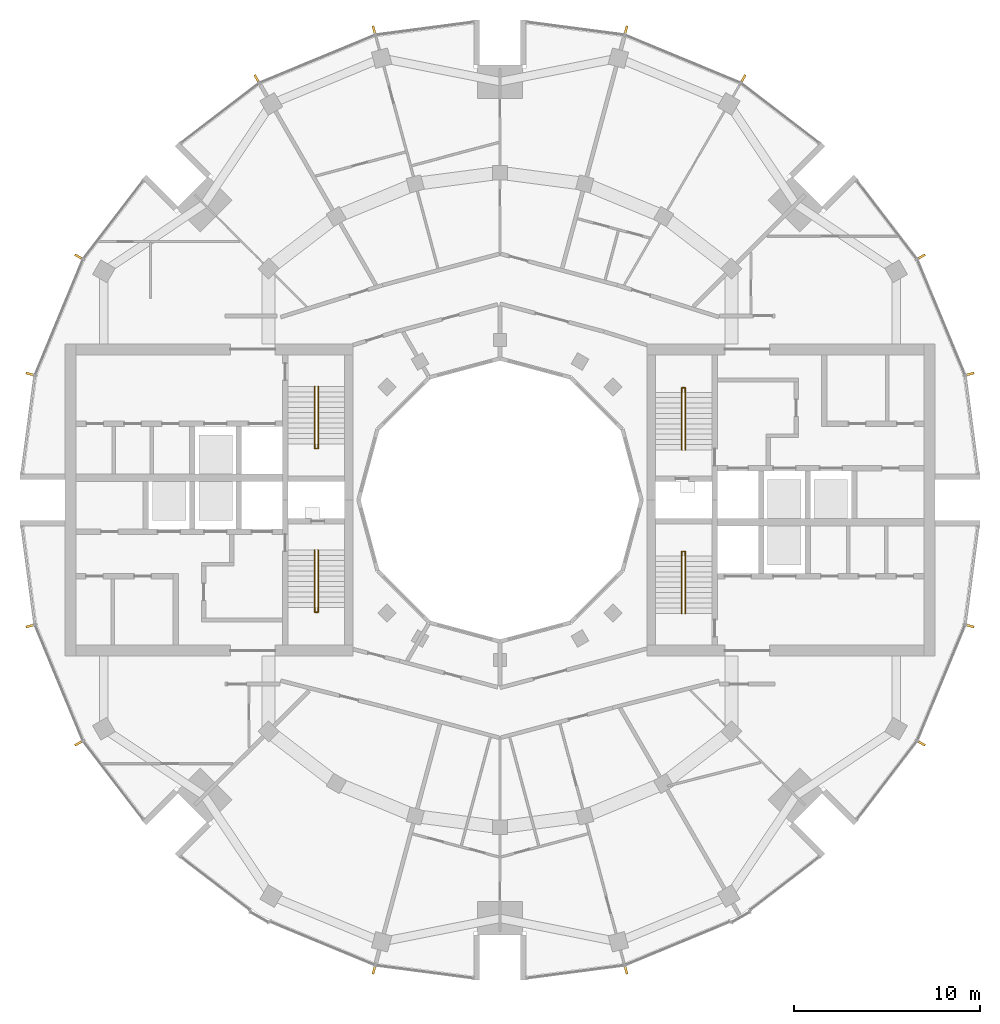
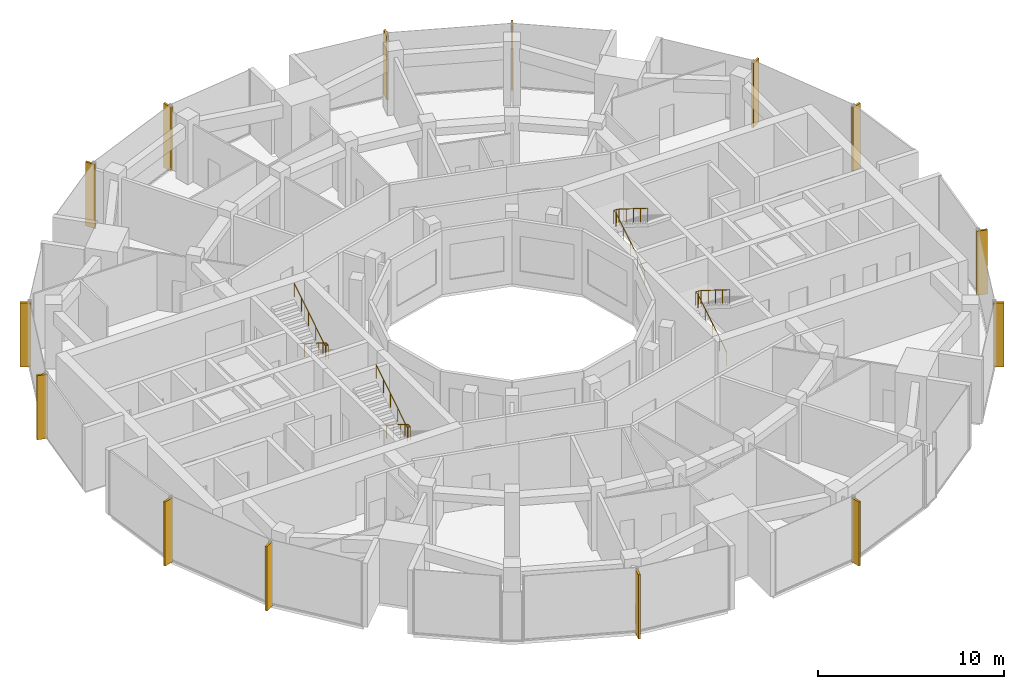
# One storey, part 14 of 15: 14 shading devices, 4 railings.
"""IFC4 building model written with IfcOpenShell, lengths in metres."""

from ifc_helpers import new_model, si_unit, direction, frame, origin, origin_2d, place, context, subcontext, project, spatial, rectangle, circle, extrude, material, material_profile, profile_set, type_object, element, save


model = new_model("IFC4")

# Units and contexts
model_context = context("Model", 3, precision=1e-05, world=origin(), true_north=direction((0.0, 1.0)))
body_context = subcontext(model_context, "Body", "Model", "MODEL_VIEW")
ifc_project = project(units=[si_unit("LENGTHUNIT", "METRE"), si_unit("AREAUNIT", "SQUARE_METRE"), si_unit("VOLUMEUNIT", "CUBIC_METRE"), si_unit("PLANEANGLEUNIT", "RADIAN"), si_unit("MASSUNIT", "GRAM", prefix="KILO")], contexts=[model_context])

# Site, building, storey
site_placement = place(None, origin())
site = spatial("IfcSite", under=ifc_project, at=site_placement, CompositionType="ELEMENT")
building_placement = place(site_placement, origin())
building = spatial("IfcBuilding", under=site, at=building_placement, Name="Torre Brocal", CompositionType="ELEMENT")
storey_placement = place(building_placement, frame((0.0, 0.0, 266.699951171875)))
storey = spatial("IfcBuildingStorey", under=building, at=storey_placement, Name="L61", CompositionType="ELEMENT", Elevation=266.699951171875)

# Shading devices
ifc_material_1 = material(Name="Aluminium, black anodised", Category="aluminium")
ifc_material_profile = material_profile(ifc_material_1, rectangle(XDim=0.1201171875, YDim=0.60009765625, at=origin_2d()), Name="FIN 120X600 4200 HIGH")
ifc_profile_set = profile_set([ifc_material_profile], Name="Aluminium, black anodised")
shading_device_type = type_object("IfcShadingDeviceType", Name="FIN 120X600 4200 HIGH", PredefinedType="USERDEFINED", material=ifc_profile_set)
for number, where, z_axis, x_axis, name in (
    (1, (105.208984375, 81.754638671875, -0.14990234375), (0.0, 0.0, 1.0), (-0.258819045103, 0.965925826289, 0.0), "FIN"),
    (2, (102.601806640625, 88.049072265625, -0.14990234375), (0.0, 0.0, 1.0), (-0.5, 0.866025403784, 0.0), "FIN"),
    (3, (93.049072265625, 97.601806640625, -0.14990234375), (0.0, 0.0, 1.0), (-0.866025403784, 0.5, 0.0), "FIN"),
    (4, (86.754638671875, 100.208984375, -0.14990234375), (0.0, 0.0, 1.0), (-0.965925826289, 0.258819045103, 0.0), "FIN"),
    (5, (73.245361328125, 100.208984375, -0.14990234375), (0.0, 0.0, 1.0), (-0.965925826289, -0.258819045103, 0.0), "FIN"),
    (6, (66.950927734375, 97.601806640625, -0.14990234375), (0.0, 0.0, 1.0), (-0.866025403784, -0.5, 0.0), "FIN"),
    (7, (57.398193359375, 88.049072265625, -0.14990234375), (0.0, 0.0, 1.0), (-0.5, -0.866025403784, 0.0), "FIN"),
    (8, (54.791015625, 81.754638671875, -0.14990234375), (0.0, 0.0, 1.0), (-0.258819045103, -0.965925826289, 0.0), "FIN"),
    (9, (54.791015625, 68.245361328125, -0.14990234375), (0.0, 0.0, 1.0), (0.258819045103, -0.965925826289, 0.0), "FIN"),
    (10, (57.398193359375, 61.950927734375, -0.14990234375), (0.0, 0.0, 1.0), (0.5, -0.866025403784, 0.0), "FIN"),
    (11, (73.245361328125, 49.791015625, -0.14990234375), (0.0, 0.0, 1.0), (0.965925826289, -0.258819045103, 0.0), "FIN"),
    (12, (86.754638671875, 49.791015625, -0.14990234375), (0.0, 0.0, 1.0), (0.965925826289, 0.258819045103, 0.0), "FIN"),
    (13, (102.601806640625, 61.950927734375, -0.14990234375), (0.0, 0.0, 1.0), (0.5, 0.866025403784, 0.0), "FIN"),
    (14, (105.208984375, 68.245361328125, -0.14990234375), (0.0, 0.0, 1.0), (0.258819045103, 0.965925826289, 0.0), "FIN"),
):
    element("IfcShadingDevice", number, at=place(storey_placement, frame(where, z_axis=z_axis, x_axis=x_axis)), inside=storey, type_object=shading_device_type, Name=name, ObjectType="FIN", PredefinedType="USERDEFINED", context=body_context, shape_type="SweptSolid", body=[
        extrude(rectangle(XDim=0.1201171875, YDim=0.60009765625, at=origin_2d()), origin(), (0.0, 0.0, 1.0), 4.199951171875),
    ])

# Railings
ifc_material_2 = material(Name="Stainless steel AISI 316", Category="steel")
railing_type = type_object("IfcRailingType", Name="STAIR HANDRAIL", PredefinedType="HANDRAIL", material=ifc_material_2)
railing_1_placement = place(storey_placement, frame((89.780029296875, 77.699951171875, 0.175048828125)))
element("IfcRailing", 15, at=railing_1_placement, inside=storey, type_object=railing_type, Name="HANDRAIL ST1", PredefinedType="HANDRAIL", context=body_context, shape_type="SweptSolid", body=[
    extrude(circle(Radius=0.02392578125, at=origin_2d()), frame((0.0, 0.0, 0.8759765625), z_axis=(0.0, 0.847998304005, 0.529998940003), x_axis=(-1.0, 0.0, 0.0)), (0.0, 0.0, 1.0), 3.632080078125),
    extrude(circle(Radius=0.02392578125, at=origin_2d()), frame((0.0, 3.080078125, 2.80078125), z_axis=(0.0, 1.0, 0.0), x_axis=(-1.0, 0.0, 0.0)), (0.0, 0.0, 1.0), 0.25),
    extrude(circle(Radius=0.02392578125, at=origin_2d()), frame((0.0, 3.330078125, 2.80078125), z_axis=(1.0, 0.0, 0.0), x_axis=(0.0, 1.0, 0.0)), (0.0, 0.0, 1.0), 0.18994140625),
    extrude(circle(Radius=0.02392578125, at=origin_2d()), frame((0.18994140625, 3.330078125, 2.80078125), z_axis=(0.0, -0.819156749665, 0.573569716318), x_axis=(1.0, 0.0, 0.0)), (0.0, 0.0, 1.0), 0.30517578125),
    extrude(circle(Radius=0.02392578125, at=origin_2d()), frame((0.18994140625, 3.080078125, 2.97607421875), z_axis=(0.0, -0.848028513186, 0.529950602248), x_axis=(1.0, 0.0, 0.0)), (0.0, 0.0, 1.0), 3.632080078125),
    extrude(circle(Radius=0.02099609375, at=origin_2d()), origin(), (0.0, 0.0, 1.0), 0.851806640625),
    extrude(circle(Radius=0.02099609375, at=origin_2d()), frame((0.0, 0.77001953125, 0.481201171875)), (0.0, 0.0, 1.0), 0.851806640625),
    extrude(circle(Radius=0.02099609375, at=origin_2d()), frame((0.0, 1.5400390625, 0.96240234375)), (0.0, 0.0, 1.0), 0.851806640625),
    extrude(circle(Radius=0.02099609375, at=origin_2d()), frame((0.0, 2.31005859375, 1.44384765625)), (0.0, 0.0, 1.0), 0.851806640625),
    extrude(circle(Radius=0.02099609375, at=origin_2d()), frame((0.0, 3.080078125, 1.925048828125)), (0.0, 0.0, 1.0), 0.851806640625),
    extrude(circle(Radius=0.02099609375, at=origin_2d()), frame((0.0, 3.330078125, 1.925048828125)), (0.0, 0.0, 1.0), 0.851806640625),
    extrude(circle(Radius=0.02099609375, at=origin_2d()), frame((0.18994140625, 3.330078125, 1.925048828125)), (0.0, 0.0, 1.0), 0.851806640625),
    extrude(circle(Radius=0.02099609375, at=origin_2d()), frame((0.18994140625, 3.080078125, 2.10009765625)), (0.0, 0.0, 1.0), 0.851806640625),
    extrude(circle(Radius=0.02099609375, at=origin_2d()), frame((0.18994140625, 2.31005859375, 2.581298828125)), (0.0, 0.0, 1.0), 0.851806640625),
    extrude(circle(Radius=0.02099609375, at=origin_2d()), frame((0.18994140625, 1.5400390625, 3.0625)), (0.0, 0.0, 1.0), 0.851806640625),
    extrude(circle(Radius=0.02099609375, at=origin_2d()), frame((0.18994140625, 0.77001953125, 3.543701171875)), (0.0, 0.0, 1.0), 0.851806640625),
    extrude(circle(Radius=0.02099609375, at=origin_2d()), frame((0.18994140625, 0.0, 4.02490234375)), (0.0, 0.0, 1.0), 0.851806640625),
])
railing_2_placement = place(storey_placement, frame((89.780029296875, 68.89990234375, 0.175048828125)))
element("IfcRailing", 16, at=railing_2_placement, inside=storey, type_object=railing_type, Name="HANDRAIL ST2", PredefinedType="HANDRAIL", context=body_context, shape_type="SweptSolid", body=[
    extrude(circle(Radius=0.02392578125, at=origin_2d()), frame((0.0, 0.0, 0.8759765625), z_axis=(0.0, 0.847998304005, 0.529998940003), x_axis=(-1.0, 0.0, 0.0)), (0.0, 0.0, 1.0), 3.632080078125),
    extrude(circle(Radius=0.02392578125, at=origin_2d()), frame((0.0, 3.080078125, 2.80078125), z_axis=(0.0, 1.0, 0.0), x_axis=(-1.0, 0.0, 0.0)), (0.0, 0.0, 1.0), 0.25),
    extrude(circle(Radius=0.02392578125, at=origin_2d()), frame((0.0, 3.330078125, 2.80078125), z_axis=(1.0, 0.0, 0.0), x_axis=(0.0, 1.0, 0.0)), (0.0, 0.0, 1.0), 0.18994140625),
    extrude(circle(Radius=0.02392578125, at=origin_2d()), frame((0.18994140625, 3.330078125, 2.80078125), z_axis=(0.0, -0.819156749665, 0.573569716318), x_axis=(1.0, 0.0, 0.0)), (0.0, 0.0, 1.0), 0.30517578125),
    extrude(circle(Radius=0.02392578125, at=origin_2d()), frame((0.18994140625, 3.080078125, 2.97607421875), z_axis=(0.0, -0.848028513186, 0.529950602248), x_axis=(1.0, 0.0, 0.0)), (0.0, 0.0, 1.0), 3.632080078125),
    extrude(circle(Radius=0.02099609375, at=origin_2d()), origin(), (0.0, 0.0, 1.0), 0.851806640625),
    extrude(circle(Radius=0.02099609375, at=origin_2d()), frame((0.0, 0.77001953125, 0.481201171875)), (0.0, 0.0, 1.0), 0.851806640625),
    extrude(circle(Radius=0.02099609375, at=origin_2d()), frame((0.0, 1.5400390625, 0.96240234375)), (0.0, 0.0, 1.0), 0.851806640625),
    extrude(circle(Radius=0.02099609375, at=origin_2d()), frame((0.0, 2.31005859375, 1.44384765625)), (0.0, 0.0, 1.0), 0.851806640625),
    extrude(circle(Radius=0.02099609375, at=origin_2d()), frame((0.0, 3.080078125, 1.925048828125)), (0.0, 0.0, 1.0), 0.851806640625),
    extrude(circle(Radius=0.02099609375, at=origin_2d()), frame((0.0, 3.330078125, 1.925048828125)), (0.0, 0.0, 1.0), 0.851806640625),
    extrude(circle(Radius=0.02099609375, at=origin_2d()), frame((0.18994140625, 3.330078125, 1.925048828125)), (0.0, 0.0, 1.0), 0.851806640625),
    extrude(circle(Radius=0.02099609375, at=origin_2d()), frame((0.18994140625, 3.080078125, 2.10009765625)), (0.0, 0.0, 1.0), 0.851806640625),
    extrude(circle(Radius=0.02099609375, at=origin_2d()), frame((0.18994140625, 2.31005859375, 2.581298828125)), (0.0, 0.0, 1.0), 0.851806640625),
    extrude(circle(Radius=0.02099609375, at=origin_2d()), frame((0.18994140625, 1.5400390625, 3.0625)), (0.0, 0.0, 1.0), 0.851806640625),
    extrude(circle(Radius=0.02099609375, at=origin_2d()), frame((0.18994140625, 0.77001953125, 3.543701171875)), (0.0, 0.0, 1.0), 0.851806640625),
    extrude(circle(Radius=0.02099609375, at=origin_2d()), frame((0.18994140625, 0.0, 4.02490234375)), (0.0, 0.0, 1.0), 0.851806640625),
])
railing_3_placement = place(storey_placement, frame((70.219970703125, 72.300048828125, 0.175048828125)))
element("IfcRailing", 17, at=railing_3_placement, inside=storey, type_object=railing_type, Name="HANDRAIL ST3", PredefinedType="HANDRAIL", context=body_context, shape_type="SweptSolid", body=[
    extrude(circle(Radius=0.02392578125, at=origin_2d()), frame((0.0, 0.0, 0.8759765625), z_axis=(0.0, -0.847998304005, 0.529998940003), x_axis=(1.0, 0.0, 0.0)), (0.0, 0.0, 1.0), 3.632080078125),
    extrude(circle(Radius=0.02392578125, at=origin_2d()), frame((0.0, -3.080078125, 2.80078125), z_axis=(0.0, -1.0, 0.0), x_axis=(1.0, 0.0, 0.0)), (0.0, 0.0, 1.0), 0.25),
    extrude(circle(Radius=0.02392578125, at=origin_2d()), frame((0.0, -3.330078125, 2.80078125), z_axis=(-1.0, 0.0, 0.0), x_axis=(0.0, -1.0, 0.0)), (0.0, 0.0, 1.0), 0.18994140625),
    extrude(circle(Radius=0.02392578125, at=origin_2d()), frame((-0.18994140625, -3.330078125, 2.80078125), z_axis=(0.0, 0.819156749665, 0.573569716318), x_axis=(-1.0, 0.0, 0.0)), (0.0, 0.0, 1.0), 0.30517578125),
    extrude(circle(Radius=0.02392578125, at=origin_2d()), frame((-0.18994140625, -3.080078125, 2.97607421875), z_axis=(0.0, 0.848028513186, 0.529950602248), x_axis=(-1.0, 0.0, 0.0)), (0.0, 0.0, 1.0), 3.632080078125),
    extrude(circle(Radius=0.02099609375, at=origin_2d()), origin(), (0.0, 0.0, 1.0), 0.851806640625),
    extrude(circle(Radius=0.02099609375, at=origin_2d()), frame((0.0, -0.77001953125, 0.481201171875)), (0.0, 0.0, 1.0), 0.851806640625),
    extrude(circle(Radius=0.02099609375, at=origin_2d()), frame((0.0, -1.5400390625, 0.96240234375)), (0.0, 0.0, 1.0), 0.851806640625),
    extrude(circle(Radius=0.02099609375, at=origin_2d()), frame((0.0, -2.31005859375, 1.44384765625)), (0.0, 0.0, 1.0), 0.851806640625),
    extrude(circle(Radius=0.02099609375, at=origin_2d()), frame((0.0, -3.080078125, 1.925048828125)), (0.0, 0.0, 1.0), 0.851806640625),
    extrude(circle(Radius=0.02099609375, at=origin_2d()), frame((0.0, -3.330078125, 1.925048828125)), (0.0, 0.0, 1.0), 0.851806640625),
    extrude(circle(Radius=0.02099609375, at=origin_2d()), frame((-0.18994140625, -3.330078125, 1.925048828125)), (0.0, 0.0, 1.0), 0.851806640625),
    extrude(circle(Radius=0.02099609375, at=origin_2d()), frame((-0.18994140625, -3.080078125, 2.10009765625)), (0.0, 0.0, 1.0), 0.851806640625),
    extrude(circle(Radius=0.02099609375, at=origin_2d()), frame((-0.18994140625, -2.31005859375, 2.581298828125)), (0.0, 0.0, 1.0), 0.851806640625),
    extrude(circle(Radius=0.02099609375, at=origin_2d()), frame((-0.18994140625, -1.5400390625, 3.0625)), (0.0, 0.0, 1.0), 0.851806640625),
    extrude(circle(Radius=0.02099609375, at=origin_2d()), frame((-0.18994140625, -0.77001953125, 3.543701171875)), (0.0, 0.0, 1.0), 0.851806640625),
    extrude(circle(Radius=0.02099609375, at=origin_2d()), frame((-0.18994140625, 0.0, 4.02490234375)), (0.0, 0.0, 1.0), 0.851806640625),
])
railing_4_placement = place(storey_placement, frame((70.219970703125, 81.10009765625, 0.175048828125)))
element("IfcRailing", 18, at=railing_4_placement, inside=storey, type_object=railing_type, Name="HANDRAIL ST4", PredefinedType="HANDRAIL", context=body_context, shape_type="SweptSolid", body=[
    extrude(circle(Radius=0.02392578125, at=origin_2d()), frame((0.0, 0.0, 0.8759765625), z_axis=(0.0, -0.847998304005, 0.529998940003), x_axis=(1.0, 0.0, 0.0)), (0.0, 0.0, 1.0), 3.632080078125),
    extrude(circle(Radius=0.02392578125, at=origin_2d()), frame((0.0, -3.080078125, 2.80078125), z_axis=(0.0, -1.0, 0.0), x_axis=(1.0, 0.0, 0.0)), (0.0, 0.0, 1.0), 0.25),
    extrude(circle(Radius=0.02392578125, at=origin_2d()), frame((0.0, -3.330078125, 2.80078125), z_axis=(-1.0, 0.0, 0.0), x_axis=(0.0, -1.0, 0.0)), (0.0, 0.0, 1.0), 0.18994140625),
    extrude(circle(Radius=0.02392578125, at=origin_2d()), frame((-0.18994140625, -3.330078125, 2.80078125), z_axis=(0.0, 0.819156749665, 0.573569716318), x_axis=(-1.0, 0.0, 0.0)), (0.0, 0.0, 1.0), 0.30517578125),
    extrude(circle(Radius=0.02392578125, at=origin_2d()), frame((-0.18994140625, -3.080078125, 2.97607421875), z_axis=(0.0, 0.848028513186, 0.529950602248), x_axis=(-1.0, 0.0, 0.0)), (0.0, 0.0, 1.0), 3.632080078125),
    extrude(circle(Radius=0.02099609375, at=origin_2d()), origin(), (0.0, 0.0, 1.0), 0.851806640625),
    extrude(circle(Radius=0.02099609375, at=origin_2d()), frame((0.0, -0.77001953125, 0.481201171875)), (0.0, 0.0, 1.0), 0.851806640625),
    extrude(circle(Radius=0.02099609375, at=origin_2d()), frame((0.0, -1.5400390625, 0.96240234375)), (0.0, 0.0, 1.0), 0.851806640625),
    extrude(circle(Radius=0.02099609375, at=origin_2d()), frame((0.0, -2.31005859375, 1.44384765625)), (0.0, 0.0, 1.0), 0.851806640625),
    extrude(circle(Radius=0.02099609375, at=origin_2d()), frame((0.0, -3.080078125, 1.925048828125)), (0.0, 0.0, 1.0), 0.851806640625),
    extrude(circle(Radius=0.02099609375, at=origin_2d()), frame((0.0, -3.330078125, 1.925048828125)), (0.0, 0.0, 1.0), 0.851806640625),
    extrude(circle(Radius=0.02099609375, at=origin_2d()), frame((-0.18994140625, -3.330078125, 1.925048828125)), (0.0, 0.0, 1.0), 0.851806640625),
    extrude(circle(Radius=0.02099609375, at=origin_2d()), frame((-0.18994140625, -3.080078125, 2.10009765625)), (0.0, 0.0, 1.0), 0.851806640625),
    extrude(circle(Radius=0.02099609375, at=origin_2d()), frame((-0.18994140625, -2.31005859375, 2.581298828125)), (0.0, 0.0, 1.0), 0.851806640625),
    extrude(circle(Radius=0.02099609375, at=origin_2d()), frame((-0.18994140625, -1.5400390625, 3.0625)), (0.0, 0.0, 1.0), 0.851806640625),
    extrude(circle(Radius=0.02099609375, at=origin_2d()), frame((-0.18994140625, -0.77001953125, 3.543701171875)), (0.0, 0.0, 1.0), 0.851806640625),
    extrude(circle(Radius=0.02099609375, at=origin_2d()), frame((-0.18994140625, 0.0, 4.02490234375)), (0.0, 0.0, 1.0), 0.851806640625),
])

save(model, "model.ifc")
